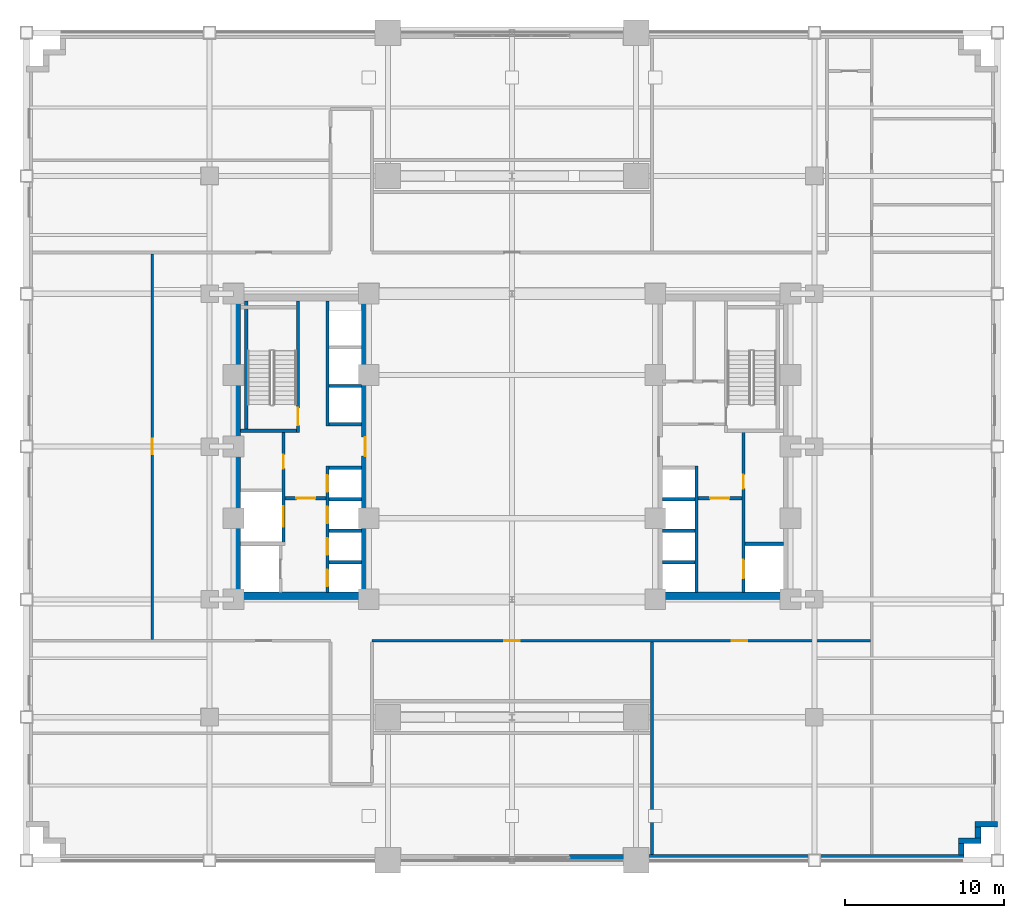
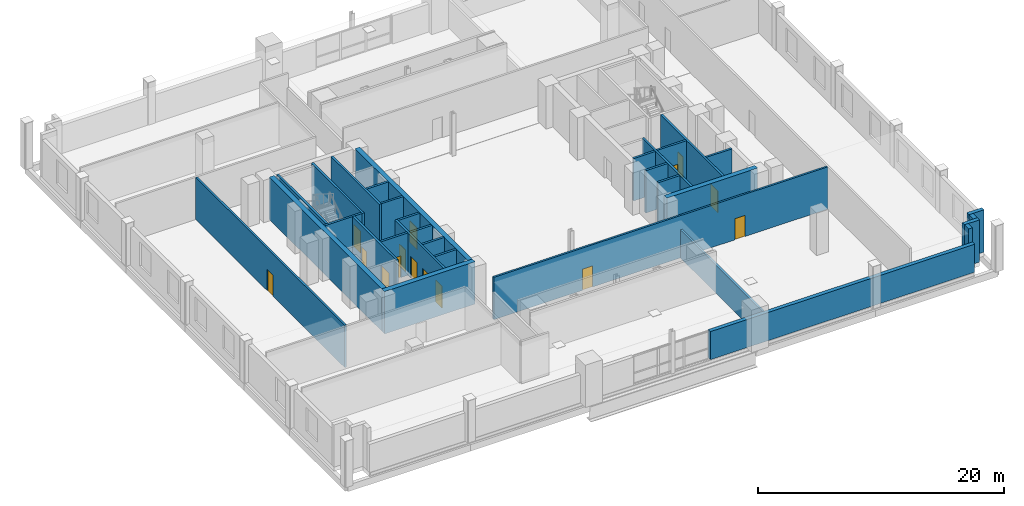
# One storey, part 7 of 17: 32 walls, 15 doors, 15 openings.
"""IFC4 building model written with IfcOpenShell, lengths in metres."""

from ifc_helpers import new_model, si_unit, direction, frame, frame_2d, origin, place, context, subcontext, project, spatial, rectangle, extrude, source, transform, mapped, material, layer, layer_set, type_object, type_shapes, element, fill, save


model = new_model("IFC4")

# Units and contexts
model_context = context("Model", 3, precision=1e-05, world=origin(), true_north=direction((0.0, 1.0)))
body_context = subcontext(model_context, "Body", "Model", "MODEL_VIEW")
ifc_project = project(units=[si_unit("LENGTHUNIT", "METRE"), si_unit("AREAUNIT", "SQUARE_METRE"), si_unit("VOLUMEUNIT", "CUBIC_METRE"), si_unit("PLANEANGLEUNIT", "RADIAN"), si_unit("MASSUNIT", "GRAM", prefix="KILO")], contexts=[model_context])

# Site, building, storey
site_placement = place(None, origin())
site = spatial("IfcSite", under=ifc_project, at=site_placement, CompositionType="ELEMENT")
building_placement = place(site_placement, origin())
building = spatial("IfcBuilding", under=site, at=building_placement, Name="Nuvemarco Arch Tower", CompositionType="ELEMENT")
storey_placement = place(building_placement, frame((0.0, 0.0, 23.0)))
storey = spatial("IfcBuildingStorey", under=building, at=storey_placement, Name="L05", CompositionType="ELEMENT", Elevation=23.0)

# Walls
ifc_material_1 = material(Name="Precast concrete C45/55", Category="concrete")
ifc_layer_1 = layer(ifc_material_1, 0.360107421875, Name="EW-POD-360")
ifc_layer_set_1 = layer_set([ifc_layer_1], Name="Precast concrete C45/55")
wall_type_1 = type_object("IfcWallType", Name="EW-POD-360", PredefinedType="STANDARD", material=ifc_layer_set_1)
wall_1_placement = place(storey_placement, frame((3.60009765625, -25.820068359375, 0.0), z_axis=(0.0, 0.0, 1.0), x_axis=(1.0, 0.0, 0.0)))
element("IfcWall", 1, at=wall_1_placement, inside=storey, type_object=wall_type_1, Name="L05 exterior precast pier wall south right", PredefinedType="STANDARD", context=body_context, shape_type="SweptSolid", body=[
    extrude(rectangle(XDim=24.7998046875, YDim=0.360107421875, at=frame_2d((12.39990234375, 0.0))), origin(), (0.0, 0.0, 1.0), 2.784912109375),
])
wall_2_placement = place(storey_placement, frame((28.219970703125, -25.64404296875, 0.0), z_axis=(0.0, 0.0, 1.0), x_axis=(0.0, 1.0, 0.0)))
element("IfcWall", 2, at=wall_2_placement, inside=storey, type_object=wall_type_1, Name="L05 exterior precast facade wall 2", PredefinedType="STANDARD", context=body_context, shape_type="SweptSolid", body=[
    extrude(rectangle(XDim=0.697998046875, YDim=0.360107421875, at=frame_2d((0.34912109375, 0.0))), origin(), (0.0, 0.0, 1.0), 4.18994140625),
])
wall_3_placement = place(storey_placement, frame((28.0400390625, -24.77001953125, 0.0), z_axis=(0.0, 0.0, 1.0), x_axis=(1.0, 0.0, 0.0)))
element("IfcWall", 3, at=wall_3_placement, inside=storey, type_object=wall_type_1, Name="L05 exterior precast facade wall 3", PredefinedType="STANDARD", context=body_context, shape_type="SweptSolid", body=[
    extrude(rectangle(XDim=1.409912109375, YDim=0.360107421875, at=frame_2d((0.705078125, 0.0))), origin(), (0.0, 0.0, 1.0), 4.18994140625),
])
wall_4_placement = place(storey_placement, frame((29.27001953125, -24.593994140625, 0.0), z_axis=(0.0, 0.0, 1.0), x_axis=(0.0, 1.0, 0.0)))
element("IfcWall", 4, at=wall_4_placement, inside=storey, type_object=wall_type_1, Name="L05 exterior precast facade wall 4", PredefinedType="STANDARD", context=body_context, shape_type="SweptSolid", body=[
    extrude(rectangle(XDim=0.697998046875, YDim=0.360107421875, at=frame_2d((0.34912109375, 0.0))), origin(), (0.0, 0.0, 1.0), 4.18994140625),
])
wall_5_placement = place(storey_placement, frame((29.090087890625, -23.719970703125, 0.0), z_axis=(0.0, 0.0, 1.0), x_axis=(1.0, 0.0, 0.0)))
element("IfcWall", 5, at=wall_5_placement, inside=storey, type_object=wall_type_1, Name="L05 exterior precast facade wall 5", PredefinedType="STANDARD", context=body_context, shape_type="SweptSolid", body=[
    extrude(rectangle(XDim=1.409912109375, YDim=0.360107421875, at=frame_2d((0.705078125, 0.0))), origin(), (0.0, 0.0, 1.0), 4.18994140625),
])
ifc_material_2 = material(Name="Concrete C60/75", Category="concrete")
ifc_layer_2 = layer(ifc_material_2, 0.449951171875, Name="WL-CORE-450")
ifc_layer_set_2 = layer_set([ifc_layer_2], Name="Concrete C60/75")
wall_type_2 = type_object("IfcWallType", Name="WL-CORE-450", PredefinedType="SHEAR", material=ifc_layer_set_2)
wall_6_placement = place(storey_placement, frame((-17.5, -9.375, 0.0), z_axis=(0.0, 0.0, 1.0), x_axis=(1.0, 0.0, 0.0)))
element("IfcWall", 6, at=wall_6_placement, inside=storey, type_object=wall_type_2, Name="L05 W-core shear wall S", PredefinedType="SHEAR", context=body_context, shape_type="SweptSolid", body=[
    extrude(rectangle(XDim=8.5, YDim=0.449951171875, at=frame_2d((4.25, 0.0))), origin(), (0.0, 0.0, 1.0), 4.199951171875),
])
wall_7_placement = place(storey_placement, frame((-17.27490234375, -9.155029296875, 0.0), z_axis=(0.0, 0.0, 1.0), x_axis=(0.0, 1.0, 0.0)))
element("IfcWall", 7, at=wall_7_placement, inside=storey, type_object=wall_type_2, Name="L05 W-core shear wall W", PredefinedType="SHEAR", context=body_context, shape_type="SweptSolid", body=[
    extrude(rectangle(XDim=18.31005859375, YDim=0.449951171875, at=frame_2d((9.155029296875, 0.0))), origin(), (0.0, 0.0, 1.0), 4.199951171875),
])

# Wall, opening, door
wall_8_placement = place(storey_placement, frame((-9.22509765625, -9.155029296875, 0.0), z_axis=(0.0, 0.0, 1.0), x_axis=(0.0, 1.0, 0.0)))
wall_8 = element("IfcWall", 8, at=wall_8_placement, inside=storey, type_object=wall_type_2, Name="L05 W-core shear wall E", PredefinedType="SHEAR", context=body_context, shape_type="SweptSolid", body=[
    extrude(rectangle(XDim=18.31005859375, YDim=0.449951171875, at=frame_2d((9.155029296875, 0.0))), origin(), (0.0, 0.0, 1.0), 4.199951171875),
])
opening_1_placement = place(wall_8_placement, frame((8.554931640625, 0.0, 0.0)))
opening_1 = element("IfcOpeningElement", 9, at=opening_1_placement, cuts=wall_8, Name="Opening FD-2", PredefinedType="OPENING", context=body_context, shape_type="SweptSolid", body=[
    extrude(rectangle(XDim=1.199951171875, YDim=2.14990234375, at=frame_2d((0.60009765625, 1.074951171875))), frame((0.0, 0.23486328125, 0.0), z_axis=(0.0, -1.0, 0.0), x_axis=(1.0, 0.0, 0.0)), (0.0, 0.0, 1.0), 0.469970703125),
])
ifc_material_3 = material(Name="Anodised steel fire door", Category="steel")
door_type_1 = type_object("IfcDoorType", Name="DR-FFLOB-FD", OperationType="NOTDEFINED", PredefinedType="DOOR", material=ifc_material_3)
shared_shape_1 = source(origin(), body_context, "Body", "SweptSolid", [
    extrude(rectangle(XDim=1.199951171875, YDim=2.14990234375, at=frame_2d((0.60009765625, 1.074951171875))), frame((0.0, 0.02490234375, 0.0), z_axis=(0.0, -1.0, 0.0), x_axis=(1.0, 0.0, 0.0)), (0.0, 0.0, 1.0), 0.050048828125),
])
type_shapes(door_type_1, [shared_shape_1])
door_1_placement = place(opening_1_placement, origin())
door_1 = element("IfcDoor", 10, at=door_1_placement, inside=storey, type_object=door_type_1, Name="L05 door FD-L05-WCORE-E", OperationType="SINGLE_SWING_RIGHT", OverallHeight=2.14990234375, OverallWidth=1.199951171875, PredefinedType="DOOR", context=body_context, shape_type="MappedRepresentation", body=[
    mapped(shared_shape_1, transform((0.0, 0.0, 0.0), scale=1.0)),
])
fill(opening_1, door_1)

# Wall
wall_9_placement = place(storey_placement, frame((9.0, -9.375, 0.0), z_axis=(0.0, 0.0, 1.0), x_axis=(1.0, 0.0, 0.0)))
element("IfcWall", 11, at=wall_9_placement, inside=storey, type_object=wall_type_2, Name="L05 E-core shear wall S", PredefinedType="SHEAR", context=body_context, shape_type="SweptSolid", body=[
    extrude(rectangle(XDim=8.5, YDim=0.449951171875, at=frame_2d((4.25, 0.0))), origin(), (0.0, 0.0, 1.0), 4.199951171875),
])

# Wall, openings, doors
ifc_material_4 = material(Name="Fire-rated gypsum drywall partition")
ifc_layer_3 = layer(ifc_material_4, 0.179931640625, Name="WL-CORR-180")
ifc_layer_set_3 = layer_set([ifc_layer_3], Name="Fire-rated gypsum drywall partition")
wall_type_3 = type_object("IfcWallType", Name="WL-CORR-180", PredefinedType="PARTITIONING", material=ifc_layer_set_3)
wall_10_placement = place(storey_placement, frame((-8.800048828125, -12.199951171875, 0.0), z_axis=(0.0, 0.0, 1.0), x_axis=(1.0, 0.0, 0.0)))
wall_10 = element("IfcWall", 12, at=wall_10_placement, inside=storey, type_object=wall_type_3, Name="L05 interior wall IW-L05-006", PredefinedType="PARTITIONING", context=body_context, shape_type="SweptSolid", body=[
    extrude(rectangle(XDim=31.333984375, YDim=0.179931640625, at=frame_2d((15.6669921875, 0.0))), origin(), (0.0, 0.0, 1.0), 4.18994140625),
])
opening_2_placement = place(wall_10_placement, frame((8.320068359375, 0.0, 0.0)))
opening_2 = element("IfcOpeningElement", 13, at=opening_2_placement, cuts=wall_10, Name="Opening FD-5", PredefinedType="OPENING", context=body_context, shape_type="SweptSolid", body=[
    extrude(rectangle(XDim=0.9599609375, YDim=2.10009765625, at=frame_2d((0.47998046875, 1.050048828125))), frame((0.0, 0.099853515625, 0.0), z_axis=(0.0, -1.0, 0.0), x_axis=(1.0, 0.0, 0.0)), (0.0, 0.0, 1.0), 0.199951171875),
])
opening_3_placement = place(wall_10_placement, frame((22.6201171875, 0.0, 0.0)))
opening_3 = element("IfcOpeningElement", 14, at=opening_3_placement, cuts=wall_10, Name="Opening FD-5", PredefinedType="OPENING", context=body_context, shape_type="SweptSolid", body=[
    extrude(rectangle(XDim=0.9599609375, YDim=2.10009765625, at=frame_2d((0.47998046875, 1.050048828125))), frame((0.0, 0.099853515625, 0.0), z_axis=(0.0, -1.0, 0.0), x_axis=(1.0, 0.0, 0.0)), (0.0, 0.0, 1.0), 0.199951171875),
])
ifc_material_5 = material(Name="Timber fire door", Category="wood")
door_type_2 = type_object("IfcDoorType", Name="DR-CORR-FD", OperationType="NOTDEFINED", PredefinedType="DOOR", material=ifc_material_5)
shared_shape_2 = source(origin(), body_context, "Body", "SweptSolid", [
    extrude(rectangle(XDim=0.9599609375, YDim=2.10009765625, at=frame_2d((0.47998046875, 1.050048828125))), frame((0.0, 0.02490234375, 0.0), z_axis=(0.0, -1.0, 0.0), x_axis=(1.0, 0.0, 0.0)), (0.0, 0.0, 1.0), 0.050048828125),
])
type_shapes(door_type_2, [shared_shape_2])
door_2_placement = place(opening_2_placement, origin())
door_2 = element("IfcDoor", 15, at=door_2_placement, inside=storey, type_object=door_type_2, Name="L05 door DR-L05-BRG_SMTG", OperationType="SINGLE_SWING_LEFT", OverallHeight=2.10009765625, OverallWidth=0.9599609375, PredefinedType="DOOR", context=body_context, shape_type="MappedRepresentation", body=[
    mapped(shared_shape_2, transform((0.0, 0.0, 0.0), scale=1.0)),
])
fill(opening_2, door_2)
door_3_placement = place(opening_3_placement, origin())
door_3 = element("IfcDoor", 16, at=door_3_placement, inside=storey, type_object=door_type_2, Name="L05 door DR-L05-BRG_SERV", OperationType="SINGLE_SWING_RIGHT", OverallHeight=2.10009765625, OverallWidth=0.9599609375, PredefinedType="DOOR", context=body_context, shape_type="MappedRepresentation", body=[
    mapped(shared_shape_2, transform((0.0, 0.0, 0.0), scale=1.0)),
])
fill(opening_3, door_3)

# Wall, opening, door
wall_11_placement = place(storey_placement, frame((-22.60009765625, -12.114013671875, 0.0), z_axis=(0.0, 0.0, 1.0), x_axis=(0.0, 1.0, 0.0)))
wall_11 = element("IfcWall", 17, at=wall_11_placement, inside=storey, type_object=wall_type_3, Name="L05 interior wall IW-L05-017", PredefinedType="PARTITIONING", context=body_context, shape_type="SweptSolid", body=[
    extrude(rectangle(XDim=24.22802734375, YDim=0.179931640625, at=frame_2d((12.114013671875, 0.0))), origin(), (0.0, 0.0, 1.0), 4.18994140625),
])
opening_4_placement = place(wall_11_placement, frame((11.634033203125, 0.0, 0.0)))
opening_4 = element("IfcOpeningElement", 18, at=opening_4_placement, cuts=wall_11, Name="Opening FD-5", PredefinedType="OPENING", context=body_context, shape_type="SweptSolid", body=[
    extrude(rectangle(XDim=0.9599609375, YDim=2.10009765625, at=frame_2d((0.47998046875, 1.050048828125))), frame((0.0, 0.099853515625, 0.0), z_axis=(0.0, -1.0, 0.0), x_axis=(1.0, 0.0, 0.0)), (0.0, 0.0, 1.0), 0.199951171875),
])
door_4_placement = place(opening_4_placement, origin())
door_4 = element("IfcDoor", 19, at=door_4_placement, inside=storey, type_object=door_type_2, Name="L05 door DR-L05-BRG_WOFF", OperationType="SINGLE_SWING_RIGHT", OverallHeight=2.10009765625, OverallWidth=0.9599609375, PredefinedType="DOOR", context=body_context, shape_type="MappedRepresentation", body=[
    mapped(shared_shape_2, transform((0.0, 0.0, 0.0), scale=1.0)),
])
fill(opening_4, door_4)

# Wall
ifc_layer_4 = layer(ifc_material_1, 0.199951171875, Name="WL-PLANT-200")
ifc_layer_set_4 = layer_set([ifc_layer_4], Name="Precast concrete C45/55")
wall_type_4 = type_object("IfcWallType", Name="WL-PLANT-200", PredefinedType="STANDARD", material=ifc_layer_set_4)
wall_12_placement = place(storey_placement, frame((8.800048828125, -25.639892578125, 0.0), z_axis=(0.0, 0.0, 1.0), x_axis=(0.0, 1.0, 0.0)))
element("IfcWall", 20, at=wall_12_placement, inside=storey, type_object=wall_type_4, Name="L05 interior wall IW-L05-022", PredefinedType="STANDARD", context=body_context, shape_type="SweptSolid", body=[
    extrude(rectangle(XDim=13.35400390625, YDim=0.199951171875, at=frame_2d((6.677001953125, 0.0))), origin(), (0.0, 0.0, 1.0), 2.784912109375),
])

# Wall, opening, door
ifc_material_6 = material(Name="Concrete C50/60", Category="concrete")
ifc_layer_5 = layer(ifc_material_6, 0.199951171875, Name="WL-SHAFT-220")
ifc_layer_set_5 = layer_set([ifc_layer_5], Name="Concrete C50/60")
wall_type_5 = type_object("IfcWallType", Name="WL-SHAFT-220", PredefinedType="SHEAR", material=ifc_layer_set_5)
wall_13_placement = place(storey_placement, frame((-13.43994140625, 0.89990234375, 0.0), z_axis=(0.0, 0.0, 1.0), x_axis=(0.0, 1.0, 0.0)))
wall_13 = element("IfcWall", 21, at=wall_13_placement, inside=storey, type_object=wall_type_5, Name="L05 structural shaft wall SW-L05-W-ST1E", PredefinedType="SHEAR", context=body_context, shape_type="SweptSolid", body=[
    extrude(rectangle(XDim=8.255126953125, YDim=0.199951171875, at=frame_2d((4.12744140625, 0.0))), origin(), (0.0, 0.0, 1.0), 4.199951171875),
])
opening_5_placement = place(wall_13_placement, frame((1.530029296875, 0.0, 0.0), z_axis=(0.0, 0.0, 1.0), x_axis=(-1.0, 0.0, 0.0)))
opening_5 = element("IfcOpeningElement", 22, at=opening_5_placement, cuts=wall_13, Name="Opening FD-1", PredefinedType="OPENING", context=body_context, shape_type="SweptSolid", body=[
    extrude(rectangle(XDim=1.10009765625, YDim=2.14990234375, at=frame_2d((0.550048828125, 1.074951171875))), frame((0.0, 0.10986328125, 0.0), z_axis=(0.0, -1.0, 0.0), x_axis=(1.0, 0.0, 0.0)), (0.0, 0.0, 1.0), 0.219970703125),
])
door_type_3 = type_object("IfcDoorType", Name="DR-STAIR-FD", OperationType="NOTDEFINED", PredefinedType="DOOR", material=ifc_material_3)
shared_shape_3 = source(origin(), body_context, "Body", "SweptSolid", [
    extrude(rectangle(XDim=1.10009765625, YDim=2.14990234375, at=frame_2d((0.550048828125, 1.074951171875))), frame((0.0, 0.02490234375, 0.0), z_axis=(0.0, -1.0, 0.0), x_axis=(1.0, 0.0, 0.0)), (0.0, 0.0, 1.0), 0.050048828125),
])
type_shapes(door_type_3, [shared_shape_3])
door_5_placement = place(opening_5_placement, origin())
door_5 = element("IfcDoor", 23, at=door_5_placement, inside=storey, type_object=door_type_3, Name="L05 door FD-L05-ST1", OperationType="SINGLE_SWING_RIGHT", OverallHeight=2.14990234375, OverallWidth=1.10009765625, PredefinedType="DOOR", context=body_context, shape_type="MappedRepresentation", body=[
    mapped(shared_shape_3, transform((0.0, 0.0, 0.0), scale=1.0)),
])
fill(opening_5, door_5)

# Walls
wall_14_placement = place(storey_placement, frame((-17.054931640625, 1.0, 0.0), z_axis=(0.0, 0.0, 1.0), x_axis=(1.0, 0.0, 0.0)))
element("IfcWall", 24, at=wall_14_placement, inside=storey, type_object=wall_type_5, Name="L05 structural shaft wall SW-L05-W-ST1S", PredefinedType="SHEAR", context=body_context, shape_type="SweptSolid", body=[
    extrude(rectangle(XDim=3.52001953125, YDim=0.199951171875, at=frame_2d((1.760009765625, 0.0))), origin(), (0.0, 0.0, 1.0), 4.199951171875),
])
wall_15_placement = place(storey_placement, frame((-16.699951171875, 1.094970703125, 0.0), z_axis=(0.0, 0.0, 1.0), x_axis=(0.0, 1.0, 0.0)))
element("IfcWall", 25, at=wall_15_placement, inside=storey, type_object=wall_type_5, Name="L05 structural shaft wall SW-L05-W-ST1W", PredefinedType="SHEAR", context=body_context, shape_type="SweptSolid", body=[
    extrude(rectangle(XDim=8.06005859375, YDim=0.199951171875, at=frame_2d((4.030029296875, 0.0))), origin(), (0.0, 0.0, 1.0), 4.199951171875),
])

# Wall, openings, doors
wall_16_placement = place(storey_placement, frame((-14.35009765625, -6.199951171875, 0.0), z_axis=(0.0, 0.0, 1.0), x_axis=(0.0, 1.0, 0.0)))
wall_16 = element("IfcWall", 26, at=wall_16_placement, inside=storey, type_object=wall_type_5, Name="L05 structural shaft wall SW-L05-W-SVE", PredefinedType="SHEAR", context=body_context, shape_type="SweptSolid", body=[
    extrude(rectangle(XDim=7.10498046875, YDim=0.199951171875, at=frame_2d((3.552490234375, 0.0))), origin(), (0.0, 0.0, 1.0), 4.199951171875),
])
opening_6_placement = place(wall_16_placement, frame((5.68994140625, 0.0, 0.0), z_axis=(0.0, 0.0, 1.0), x_axis=(-1.0, 0.0, 0.0)))
opening_6 = element("IfcOpeningElement", 27, at=opening_6_placement, cuts=wall_16, Name="Opening FD-4", PredefinedType="OPENING", context=body_context, shape_type="SweptSolid", body=[
    extrude(rectangle(XDim=0.8798828125, YDim=2.10009765625, at=frame_2d((0.43994140625, 1.050048828125))), frame((0.0, 0.10986328125, 0.0), z_axis=(0.0, -1.0, 0.0), x_axis=(1.0, 0.0, 0.0)), (0.0, 0.0, 1.0), 0.219970703125),
])
opening_7_placement = place(wall_16_placement, frame((1.14990234375, 0.0, 0.0)))
opening_7 = element("IfcOpeningElement", 28, at=opening_7_placement, cuts=wall_16, Name="Opening LD-3", PredefinedType="OPENING", context=body_context, shape_type="SweptSolid", body=[
    extrude(rectangle(XDim=1.300048828125, YDim=2.199951171875, at=frame_2d((0.64990234375, 1.10009765625))), frame((0.0, 0.10986328125, 0.0), z_axis=(0.0, -1.0, 0.0), x_axis=(1.0, 0.0, 0.0)), (0.0, 0.0, 1.0), 0.219970703125),
])
door_type_4 = type_object("IfcDoorType", Name="DR-RISER-FD", OperationType="NOTDEFINED", PredefinedType="DOOR", material=ifc_material_3)
shared_shape_4 = source(origin(), body_context, "Body", "SweptSolid", [
    extrude(rectangle(XDim=0.8798828125, YDim=2.10009765625, at=frame_2d((0.43994140625, 1.050048828125))), frame((0.0, 0.02490234375, 0.0), z_axis=(0.0, -1.0, 0.0), x_axis=(1.0, 0.0, 0.0)), (0.0, 0.0, 1.0), 0.050048828125),
])
type_shapes(door_type_4, [shared_shape_4])
door_6_placement = place(opening_6_placement, origin())
door_6 = element("IfcDoor", 29, at=door_6_placement, inside=storey, type_object=door_type_4, Name="L05 door FD-L05-WRIS", OperationType="SINGLE_SWING_RIGHT", OverallHeight=2.10009765625, OverallWidth=0.8798828125, PredefinedType="DOOR", context=body_context, shape_type="MappedRepresentation", body=[
    mapped(shared_shape_4, transform((0.0, 0.0, 0.0), scale=1.0)),
])
fill(opening_6, door_6)
ifc_material_7 = material(Name="Stainless steel lift door", Category="steel")
door_type_5 = type_object("IfcDoorType", Name="DR-LIFT-SERV", OperationType="DOUBLE_DOOR_SLIDING", PredefinedType="DOOR", material=ifc_material_7)
shared_shape_5 = source(origin(), body_context, "Body", "SweptSolid", [
    extrude(rectangle(XDim=1.300048828125, YDim=2.199951171875, at=frame_2d((0.64990234375, 1.10009765625))), frame((0.0, 0.02490234375, 0.0), z_axis=(0.0, -1.0, 0.0), x_axis=(1.0, 0.0, 0.0)), (0.0, 0.0, 1.0), 0.050048828125),
])
type_shapes(door_type_5, [shared_shape_5])
door_7_placement = place(opening_7_placement, origin())
door_7 = element("IfcDoor", 30, at=door_7_placement, inside=storey, type_object=door_type_5, Name="L05 Lift landing sliding door SVL-1", OperationType="DOUBLE_DOOR_SLIDING", OverallHeight=2.199951171875, OverallWidth=1.300048828125, PredefinedType="DOOR", context=body_context, shape_type="MappedRepresentation", body=[
    mapped(shared_shape_5, transform((0.0, 0.0, 0.0), scale=1.0)),
])
fill(opening_7, door_7)

wall_17_placement = place(storey_placement, frame((-11.60009765625, -9.155029296875, 0.0), z_axis=(0.0, 0.0, 1.0), x_axis=(0.0, 1.0, 0.0)))
wall_17 = element("IfcWall", 31, at=wall_17_placement, inside=storey, type_object=wall_type_5, Name="L05 structural shaft wall SW-L05-W-PLW", PredefinedType="SHEAR", context=body_context, shape_type="SweptSolid", body=[
    extrude(rectangle(XDim=7.925048828125, YDim=0.199951171875, at=frame_2d((3.96240234375, 0.0))), origin(), (0.0, 0.0, 1.0), 4.199951171875),
])
opening_8_placement = place(wall_17_placement, frame((0.3701171875, 0.0, 0.0)))
opening_8 = element("IfcOpeningElement", 32, at=opening_8_placement, cuts=wall_17, Name="Opening LD-1", PredefinedType="OPENING", context=body_context, shape_type="SweptSolid", body=[
    extrude(rectangle(XDim=1.050048828125, YDim=2.14990234375, at=frame_2d((0.52490234375, 1.074951171875))), frame((0.0, 0.10986328125, 0.0), z_axis=(0.0, -1.0, 0.0), x_axis=(1.0, 0.0, 0.0)), (0.0, 0.0, 1.0), 0.219970703125),
])
opening_9_placement = place(wall_17_placement, frame((2.35009765625, 0.0, 0.0)))
opening_9 = element("IfcOpeningElement", 33, at=opening_9_placement, cuts=wall_17, Name="Opening LD-1", PredefinedType="OPENING", context=body_context, shape_type="SweptSolid", body=[
    extrude(rectangle(XDim=1.050048828125, YDim=2.14990234375, at=frame_2d((0.52490234375, 1.074951171875))), frame((0.0, 0.10986328125, 0.0), z_axis=(0.0, -1.0, 0.0), x_axis=(1.0, 0.0, 0.0)), (0.0, 0.0, 1.0), 0.219970703125),
])
opening_10_placement = place(wall_17_placement, frame((4.330078125, 0.0, 0.0)))
opening_10 = element("IfcOpeningElement", 34, at=opening_10_placement, cuts=wall_17, Name="Opening LD-1", PredefinedType="OPENING", context=body_context, shape_type="SweptSolid", body=[
    extrude(rectangle(XDim=1.050048828125, YDim=2.14990234375, at=frame_2d((0.52490234375, 1.074951171875))), frame((0.0, 0.10986328125, 0.0), z_axis=(0.0, -1.0, 0.0), x_axis=(1.0, 0.0, 0.0)), (0.0, 0.0, 1.0), 0.219970703125),
])
opening_11_placement = place(wall_17_placement, frame((6.31005859375, 0.0, 0.0)))
opening_11 = element("IfcOpeningElement", 35, at=opening_11_placement, cuts=wall_17, Name="Opening LD-1", PredefinedType="OPENING", context=body_context, shape_type="SweptSolid", body=[
    extrude(rectangle(XDim=1.050048828125, YDim=2.14990234375, at=frame_2d((0.52490234375, 1.074951171875))), frame((0.0, 0.10986328125, 0.0), z_axis=(0.0, -1.0, 0.0), x_axis=(1.0, 0.0, 0.0)), (0.0, 0.0, 1.0), 0.219970703125),
])
door_type_6 = type_object("IfcDoorType", Name="DR-LIFT-PASS", OperationType="DOUBLE_DOOR_SLIDING", PredefinedType="DOOR", material=ifc_material_7)
shared_shape_6 = source(origin(), body_context, "Body", "SweptSolid", [
    extrude(rectangle(XDim=1.050048828125, YDim=2.14990234375, at=frame_2d((0.52490234375, 1.074951171875))), frame((0.0, 0.02490234375, 0.0), z_axis=(0.0, -1.0, 0.0), x_axis=(1.0, 0.0, 0.0)), (0.0, 0.0, 1.0), 0.050048828125),
])
type_shapes(door_type_6, [shared_shape_6])
door_8_placement = place(opening_8_placement, origin())
door_8 = element("IfcDoor", 36, at=door_8_placement, inside=storey, type_object=door_type_6, Name="L05 Lift landing sliding door PL-1", OperationType="DOUBLE_DOOR_SLIDING", OverallHeight=2.14990234375, OverallWidth=1.050048828125, PredefinedType="DOOR", context=body_context, shape_type="MappedRepresentation", body=[
    mapped(shared_shape_6, transform((0.0, 0.0, 0.0), scale=1.0)),
])
fill(opening_8, door_8)
door_9_placement = place(opening_9_placement, origin())
door_9 = element("IfcDoor", 37, at=door_9_placement, inside=storey, type_object=door_type_6, Name="L05 Lift landing sliding door PL-2", OperationType="DOUBLE_DOOR_SLIDING", OverallHeight=2.14990234375, OverallWidth=1.050048828125, PredefinedType="DOOR", context=body_context, shape_type="MappedRepresentation", body=[
    mapped(shared_shape_6, transform((0.0, 0.0, 0.0), scale=1.0)),
])
fill(opening_9, door_9)
door_10_placement = place(opening_10_placement, origin())
door_10 = element("IfcDoor", 38, at=door_10_placement, inside=storey, type_object=door_type_6, Name="L05 Lift landing sliding door PL-3", OperationType="DOUBLE_DOOR_SLIDING", OverallHeight=2.14990234375, OverallWidth=1.050048828125, PredefinedType="DOOR", context=body_context, shape_type="MappedRepresentation", body=[
    mapped(shared_shape_6, transform((0.0, 0.0, 0.0), scale=1.0)),
])
fill(opening_10, door_10)
door_11_placement = place(opening_11_placement, origin())
door_11 = element("IfcDoor", 39, at=door_11_placement, inside=storey, type_object=door_type_6, Name="L05 Lift landing sliding door PL-4", OperationType="DOUBLE_DOOR_SLIDING", OverallHeight=2.14990234375, OverallWidth=1.050048828125, PredefinedType="DOOR", context=body_context, shape_type="MappedRepresentation", body=[
    mapped(shared_shape_6, transform((0.0, 0.0, 0.0), scale=1.0)),
])
fill(opening_11, door_11)

# Wall, opening, door
wall_18_placement = place(storey_placement, frame((-14.2548828125, -3.25, 0.0), z_axis=(0.0, 0.0, 1.0), x_axis=(1.0, 0.0, 0.0)))
wall_18 = element("IfcWall", 40, at=wall_18_placement, inside=storey, type_object=wall_type_5, Name="L05 structural shaft wall SW-L05-W-FFN", PredefinedType="SHEAR", context=body_context, shape_type="SweptSolid", body=[
    extrude(rectangle(XDim=2.559814453125, YDim=0.199951171875, at=frame_2d((1.27978515625, 0.0))), origin(), (0.0, 0.0, 1.0), 4.199951171875),
])
opening_12_placement = place(wall_18_placement, frame((0.705078125, 0.0, 0.0)))
opening_12 = element("IfcOpeningElement", 41, at=opening_12_placement, cuts=wall_18, Name="Opening FD-2", PredefinedType="OPENING", context=body_context, shape_type="SweptSolid", body=[
    extrude(rectangle(XDim=1.199951171875, YDim=2.14990234375, at=frame_2d((0.60009765625, 1.074951171875))), frame((0.0, 0.10986328125, 0.0), z_axis=(0.0, -1.0, 0.0), x_axis=(1.0, 0.0, 0.0)), (0.0, 0.0, 1.0), 0.219970703125),
])
door_12_placement = place(opening_12_placement, origin())
door_12 = element("IfcDoor", 42, at=door_12_placement, inside=storey, type_object=door_type_1, Name="L05 door FD-L05-WFF1", OperationType="SINGLE_SWING_RIGHT", OverallHeight=2.14990234375, OverallWidth=1.199951171875, PredefinedType="DOOR", context=body_context, shape_type="MappedRepresentation", body=[
    mapped(shared_shape_1, transform((0.0, 0.0, 0.0), scale=1.0)),
])
fill(opening_12, door_12)

# Walls
for number, where, z_axis, x_axis, name in (
    (43, (-11.5048828125, -7.27001953125, 0.0), (0.0, 0.0, 1.0), (1.0, 0.0, 0.0), "L05 structural shaft wall SW-L05-W-PLD1"),
    (44, (-11.5048828125, -5.2900390625, 0.0), (0.0, 0.0, 1.0), (1.0, 0.0, 0.0), "L05 structural shaft wall SW-L05-W-PLD2"),
    (45, (-11.5048828125, -3.31005859375, 0.0), (0.0, 0.0, 1.0), (1.0, 0.0, 0.0), "L05 structural shaft wall SW-L05-W-PLD3"),
    (46, (-11.5048828125, -1.330078125, 0.0), (0.0, 0.0, 1.0), (1.0, 0.0, 0.0), "L05 structural shaft wall SW-L05-W-PLD4"),
):
    element("IfcWall", number, at=place(storey_placement, frame(where, z_axis=z_axis, x_axis=x_axis)), inside=storey, type_object=wall_type_5, Name=name, PredefinedType="SHEAR", context=body_context, shape_type="SweptSolid", body=[
        extrude(rectangle(XDim=2.059814453125, YDim=0.199951171875, at=frame_2d((1.02978515625, 0.0))), origin(), (0.0, 0.0, 1.0), 4.199951171875),
    ])
wall_19_placement = place(storey_placement, frame((-11.60009765625, 1.300048828125, 0.0), z_axis=(0.0, 0.0, 1.0), x_axis=(0.0, 1.0, 0.0)))
element("IfcWall", 47, at=wall_19_placement, inside=storey, type_object=wall_type_5, Name="L05 structural shaft wall SW-L05-W-PHW", PredefinedType="SHEAR", context=body_context, shape_type="SweptSolid", body=[
    extrude(rectangle(XDim=7.85498046875, YDim=0.199951171875, at=frame_2d((3.927490234375, 0.0))), origin(), (0.0, 0.0, 1.0), 4.199951171875),
])
for number, where, z_axis, x_axis, name in (
    (48, (-11.5048828125, 1.39990234375, 0.0), (0.0, 0.0, 1.0), (1.0, 0.0, 0.0), "L05 structural shaft wall SW-L05-W-PHD1"),
    (49, (-11.5048828125, 3.800048828125, 0.0), (0.0, 0.0, 1.0), (1.0, 0.0, 0.0), "L05 structural shaft wall SW-L05-W-PHD2"),
):
    element("IfcWall", number, at=place(storey_placement, frame(where, z_axis=z_axis, x_axis=x_axis)), inside=storey, type_object=wall_type_5, Name=name, PredefinedType="SHEAR", context=body_context, shape_type="SweptSolid", body=[
        extrude(rectangle(XDim=2.059814453125, YDim=0.199951171875, at=frame_2d((1.02978515625, 0.0))), origin(), (0.0, 0.0, 1.0), 4.199951171875),
    ])

# Wall, openings, doors
wall_20_placement = place(storey_placement, frame((14.550048828125, -9.155029296875, 0.0), z_axis=(0.0, 0.0, 1.0), x_axis=(0.0, 1.0, 0.0)))
wall_20 = element("IfcWall", 50, at=wall_20_placement, inside=storey, type_object=wall_type_5, Name="L05 structural shaft wall SW-L05-E-SHW", PredefinedType="SHEAR", context=body_context, shape_type="SweptSolid", body=[
    extrude(rectangle(XDim=10.06005859375, YDim=0.199951171875, at=frame_2d((5.030029296875, 0.0))), origin(), (0.0, 0.0, 1.0), 4.199951171875),
])
opening_13_placement = place(wall_20_placement, frame((6.514892578125, 0.0, 0.0)))
opening_13 = element("IfcOpeningElement", 51, at=opening_13_placement, cuts=wall_20, Name="Opening FD-4", PredefinedType="OPENING", context=body_context, shape_type="SweptSolid", body=[
    extrude(rectangle(XDim=0.8798828125, YDim=2.10009765625, at=frame_2d((0.43994140625, 1.050048828125))), frame((0.0, 0.10986328125, 0.0), z_axis=(0.0, -1.0, 0.0), x_axis=(1.0, 0.0, 0.0)), (0.0, 0.0, 1.0), 0.219970703125),
])
opening_14_placement = place(wall_20_placement, frame((0.8798828125, 0.0, 0.0)))
opening_14 = element("IfcOpeningElement", 52, at=opening_14_placement, cuts=wall_20, Name="Opening LD-2", PredefinedType="OPENING", context=body_context, shape_type="SweptSolid", body=[
    extrude(rectangle(XDim=1.14990234375, YDim=2.14990234375, at=frame_2d((0.574951171875, 1.074951171875))), frame((0.0, 0.10986328125, 0.0), z_axis=(0.0, -1.0, 0.0), x_axis=(1.0, 0.0, 0.0)), (0.0, 0.0, 1.0), 0.219970703125),
])
door_13_placement = place(opening_13_placement, origin())
door_13 = element("IfcDoor", 53, at=door_13_placement, inside=storey, type_object=door_type_4, Name="L05 door FD-L05-ERIS", OperationType="SINGLE_SWING_LEFT", OverallHeight=2.10009765625, OverallWidth=0.8798828125, PredefinedType="DOOR", context=body_context, shape_type="MappedRepresentation", body=[
    mapped(shared_shape_4, transform((0.0, 0.0, 0.0), scale=1.0)),
])
fill(opening_13, door_13)
door_type_7 = type_object("IfcDoorType", Name="DR-LIFT-FIRE", OperationType="DOUBLE_DOOR_SLIDING", PredefinedType="DOOR", material=ifc_material_7)
shared_shape_7 = source(origin(), body_context, "Body", "SweptSolid", [
    extrude(rectangle(XDim=1.14990234375, YDim=2.14990234375, at=frame_2d((0.574951171875, 1.074951171875))), frame((0.0, 0.02490234375, 0.0), z_axis=(0.0, -1.0, 0.0), x_axis=(1.0, 0.0, 0.0)), (0.0, 0.0, 1.0), 0.050048828125),
])
type_shapes(door_type_7, [shared_shape_7])
door_14_placement = place(opening_14_placement, origin())
door_14 = element("IfcDoor", 54, at=door_14_placement, inside=storey, type_object=door_type_7, Name="L05 Lift landing sliding door FFL-2", OperationType="DOUBLE_DOOR_SLIDING", OverallHeight=2.14990234375, OverallWidth=1.14990234375, PredefinedType="DOOR", context=body_context, shape_type="MappedRepresentation", body=[
    mapped(shared_shape_7, transform((0.0, 0.0, 0.0), scale=1.0)),
])
fill(opening_14, door_14)

# Walls
wall_21_placement = place(storey_placement, frame((14.64501953125, -6.10009765625, 0.0), z_axis=(0.0, 0.0, 1.0), x_axis=(1.0, 0.0, 0.0)))
element("IfcWall", 55, at=wall_21_placement, inside=storey, type_object=wall_type_5, Name="L05 structural shaft wall SW-L05-E-SH1", PredefinedType="SHEAR", context=body_context, shape_type="SweptSolid", body=[
    extrude(rectangle(XDim=2.409912109375, YDim=0.199951171875, at=frame_2d((1.205078125, 0.0))), origin(), (0.0, 0.0, 1.0), 4.199951171875),
])
wall_22_placement = place(storey_placement, frame((11.60009765625, -9.155029296875, 0.0), z_axis=(0.0, 0.0, 1.0), x_axis=(0.0, 1.0, 0.0)))
element("IfcWall", 56, at=wall_22_placement, inside=storey, type_object=wall_type_5, Name="L05 structural shaft wall SW-L05-E-PME", PredefinedType="SHEAR", context=body_context, shape_type="SweptSolid", body=[
    extrude(rectangle(XDim=7.925048828125, YDim=0.199951171875, at=frame_2d((3.96240234375, 0.0))), origin(), (0.0, 0.0, 1.0), 4.199951171875),
])

# Wall, opening, door
wall_23_placement = place(storey_placement, frame((11.695068359375, -3.25, 0.0), z_axis=(0.0, 0.0, 1.0), x_axis=(1.0, 0.0, 0.0)))
wall_23 = element("IfcWall", 57, at=wall_23_placement, inside=storey, type_object=wall_type_5, Name="L05 structural shaft wall SW-L05-E-FFN", PredefinedType="SHEAR", context=body_context, shape_type="SweptSolid", body=[
    extrude(rectangle(XDim=2.760009765625, YDim=0.199951171875, at=frame_2d((1.3798828125, 0.0))), origin(), (0.0, 0.0, 1.0), 4.199951171875),
])
opening_15_placement = place(wall_23_placement, frame((0.7548828125, 0.0, 0.0)))
opening_15 = element("IfcOpeningElement", 58, at=opening_15_placement, cuts=wall_23, Name="Opening FD-2", PredefinedType="OPENING", context=body_context, shape_type="SweptSolid", body=[
    extrude(rectangle(XDim=1.199951171875, YDim=2.14990234375, at=frame_2d((0.60009765625, 1.074951171875))), frame((0.0, 0.10986328125, 0.0), z_axis=(0.0, -1.0, 0.0), x_axis=(1.0, 0.0, 0.0)), (0.0, 0.0, 1.0), 0.219970703125),
])
door_15_placement = place(opening_15_placement, origin())
door_15 = element("IfcDoor", 59, at=door_15_placement, inside=storey, type_object=door_type_1, Name="L05 door FD-L05-EFF2", OperationType="SINGLE_SWING_LEFT", OverallHeight=2.14990234375, OverallWidth=1.199951171875, PredefinedType="DOOR", context=body_context, shape_type="MappedRepresentation", body=[
    mapped(shared_shape_1, transform((0.0, 0.0, 0.0), scale=1.0)),
])
fill(opening_15, door_15)

# Walls
for number, where, z_axis, x_axis, name in (
    (60, (9.445068359375, -7.27001953125, 0.0), (0.0, 0.0, 1.0), (1.0, 0.0, 0.0), "L05 structural shaft wall SW-L05-E-PMD1"),
    (61, (9.445068359375, -5.2900390625, 0.0), (0.0, 0.0, 1.0), (1.0, 0.0, 0.0), "L05 structural shaft wall SW-L05-E-PMD2"),
    (62, (9.445068359375, -3.31005859375, 0.0), (0.0, 0.0, 1.0), (1.0, 0.0, 0.0), "L05 structural shaft wall SW-L05-E-PMD3"),
):
    element("IfcWall", number, at=place(storey_placement, frame(where, z_axis=z_axis, x_axis=x_axis)), inside=storey, type_object=wall_type_5, Name=name, PredefinedType="SHEAR", context=body_context, shape_type="SweptSolid", body=[
        extrude(rectangle(XDim=2.059814453125, YDim=0.199951171875, at=frame_2d((1.02978515625, 0.0))), origin(), (0.0, 0.0, 1.0), 4.199951171875),
    ])

save(model, "model.ifc")
